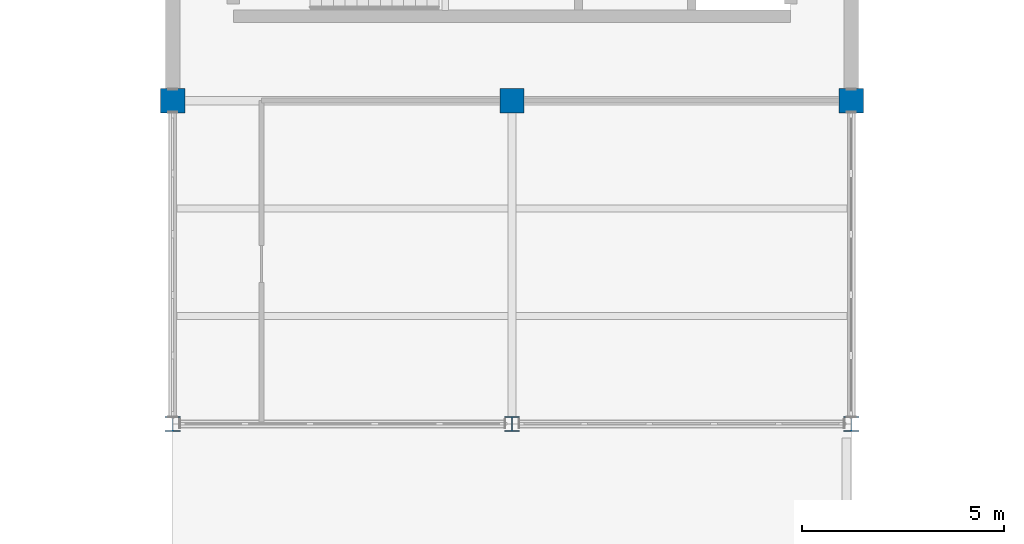
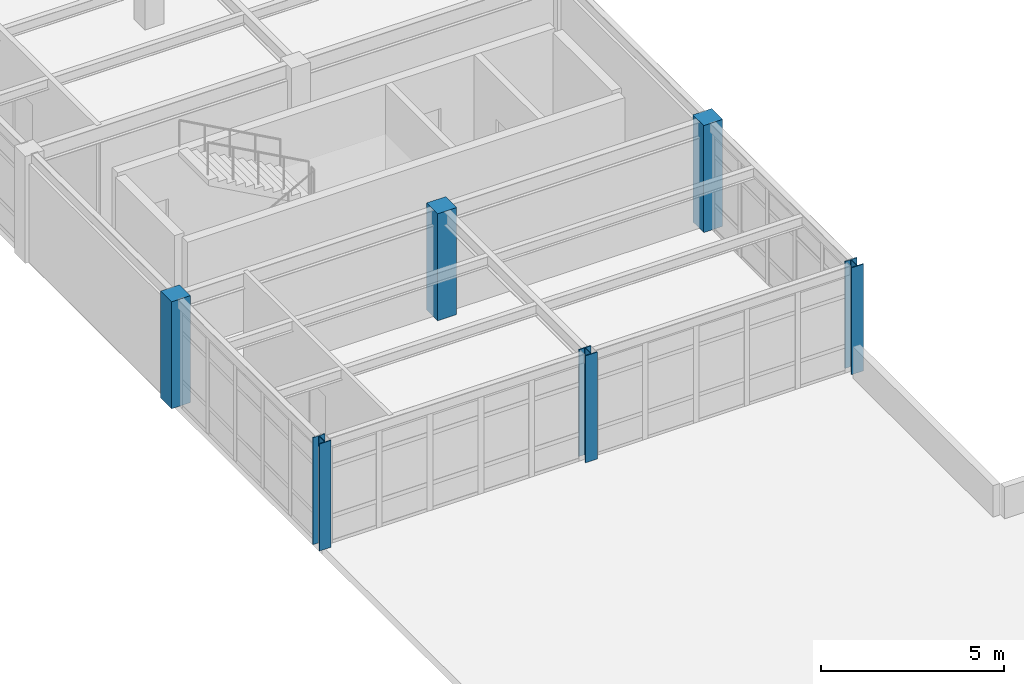
# One storey, part 5 of 96: 6 columns.
"""IFC4 building model written with IfcOpenShell, lengths in metres."""

from ifc_helpers import new_model, si_unit, direction, frame, origin, origin_2d, place, context, subcontext, project, spatial, rectangle, i_section, extrude, material, material_profile, profile_set, type_object, element, save


model = new_model("IFC4")

# Units and contexts
model_context = context("Model", 3, precision=1e-05, world=origin(), true_north=direction((0.0, 1.0)))
body_context = subcontext(model_context, "Body", "Model", "MODEL_VIEW")
ifc_project = project(units=[si_unit("LENGTHUNIT", "METRE"), si_unit("AREAUNIT", "SQUARE_METRE"), si_unit("VOLUMEUNIT", "CUBIC_METRE"), si_unit("PLANEANGLEUNIT", "RADIAN"), si_unit("MASSUNIT", "GRAM", prefix="KILO")], contexts=[model_context])

# Site, building, storey
site_placement = place(None, origin())
site = spatial("IfcSite", under=ifc_project, at=site_placement, CompositionType="ELEMENT")
building_placement = place(site_placement, origin())
building = spatial("IfcBuilding", under=site, at=building_placement, Name="Kranzveld Transit Interchange", CompositionType="ELEMENT")
storey_placement = place(building_placement, frame((0.0, 0.0, 9.52001953125)))
storey = spatial("IfcBuildingStorey", under=building, at=storey_placement, Name="L02", CompositionType="ELEMENT", Elevation=9.52001953125)

# Columns
ifc_material_1 = material(Name="Concrete C35/45", Category="concrete")
ifc_material_profile_1 = material_profile(ifc_material_1, rectangle(XDim=0.60009765625, YDim=0.60009765625, at=origin_2d()), Name="RC 600x600")
ifc_profile_set_1 = profile_set([ifc_material_profile_1], Name="Concrete C35/45")
column_type_1 = type_object("IfcColumnType", Name="Column RC 600x600 C35/45", PredefinedType="COLUMN", material=ifc_profile_set_1)
for number, where, z_axis, x_axis, name in (
    (1, (100.800048828125, 72.0, 0.0), (0.0, 0.0, 1.0), (1.0, 0.0, 0.0), "L02 Column 13/K"),
    (2, (109.199951171875, 72.0, 0.0), (0.0, 0.0, 1.0), (1.0, 0.0, 0.0), "L02 Column 14/K"),
    (3, (117.60009765625, 72.0, 0.0), (0.0, 0.0, 1.0), (1.0, 0.0, 0.0), "L02 Column 15/K"),
):
    element("IfcColumn", number, at=place(storey_placement, frame(where, z_axis=z_axis, x_axis=x_axis)), inside=storey, type_object=column_type_1, Name=name, PredefinedType="COLUMN", context=body_context, shape_type="SweptSolid", body=[
        extrude(rectangle(XDim=0.60009765625, YDim=0.60009765625, at=origin_2d()), origin(), (0.0, 0.0, 1.0), 3.570068359375),
    ])
ifc_material_2 = material(Name="Steel S355JR", Category="steel")
ifc_material_profile_2 = material_profile(ifc_material_2, i_section(OverallWidth=0.374755859375, OverallDepth=0.37451171875, WebThickness=0.0166015625, FlangeThickness=0.027099609375, FilletRadius=0.01513671875, at=origin_2d()), Name="UC 356x368x202")
ifc_profile_set_2 = profile_set([ifc_material_profile_2], Name="Steel S355JR")
column_type_2 = type_object("IfcColumnType", Name="Column Steel UC 356x368x202 S355JR", PredefinedType="COLUMN", material=ifc_profile_set_2)
for number, where, z_axis, x_axis, name in (
    (4, (100.800048828125, 64.0, 0.0), (0.0, 0.0, 1.0), (1.0, 0.0, 0.0), "L02 Column 13/J"),
    (5, (109.199951171875, 64.0, 0.0), (0.0, 0.0, 1.0), (1.0, 0.0, 0.0), "L02 Column 14/J"),
    (6, (117.60009765625, 64.0, 0.0), (0.0, 0.0, 1.0), (1.0, 0.0, 0.0), "L02 Column 15/J"),
):
    element("IfcColumn", number, at=place(storey_placement, frame(where, z_axis=z_axis, x_axis=x_axis)), inside=storey, type_object=column_type_2, Name=name, PredefinedType="COLUMN", context=body_context, shape_type="SweptSolid", body=[
        extrude(i_section(OverallWidth=0.374755859375, OverallDepth=0.37451171875, WebThickness=0.0166015625, FlangeThickness=0.027099609375, FilletRadius=0.01513671875, at=origin_2d()), origin(), (0.0, 0.0, 1.0), 3.570068359375),
    ])

save(model, "model.ifc")
